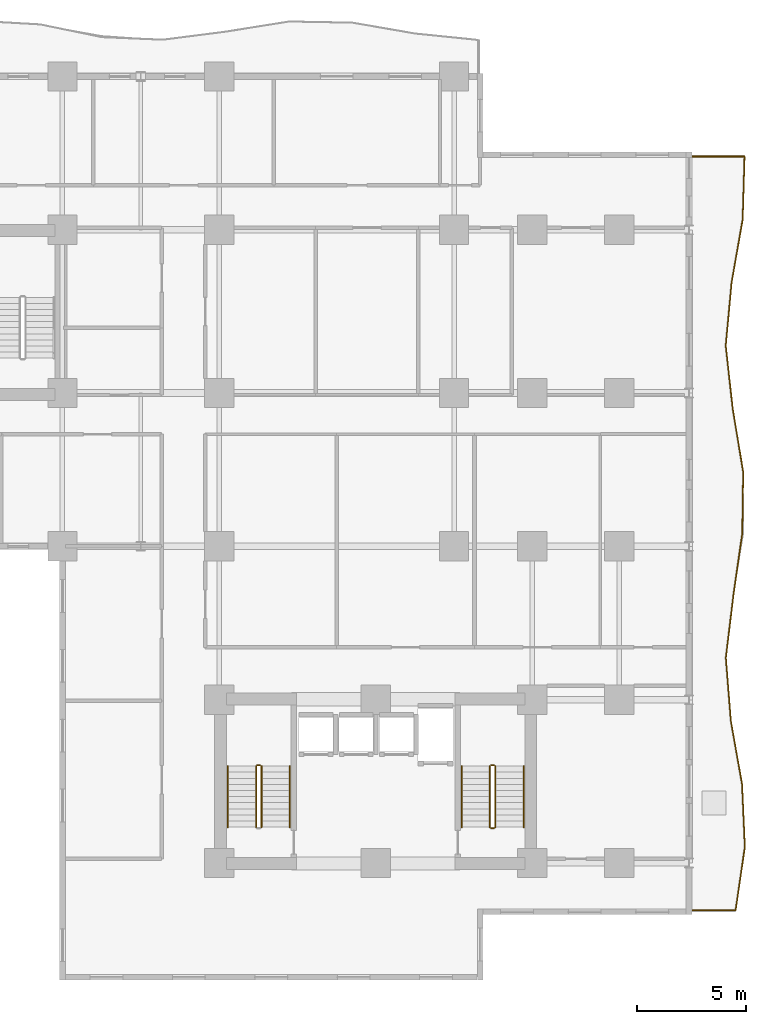
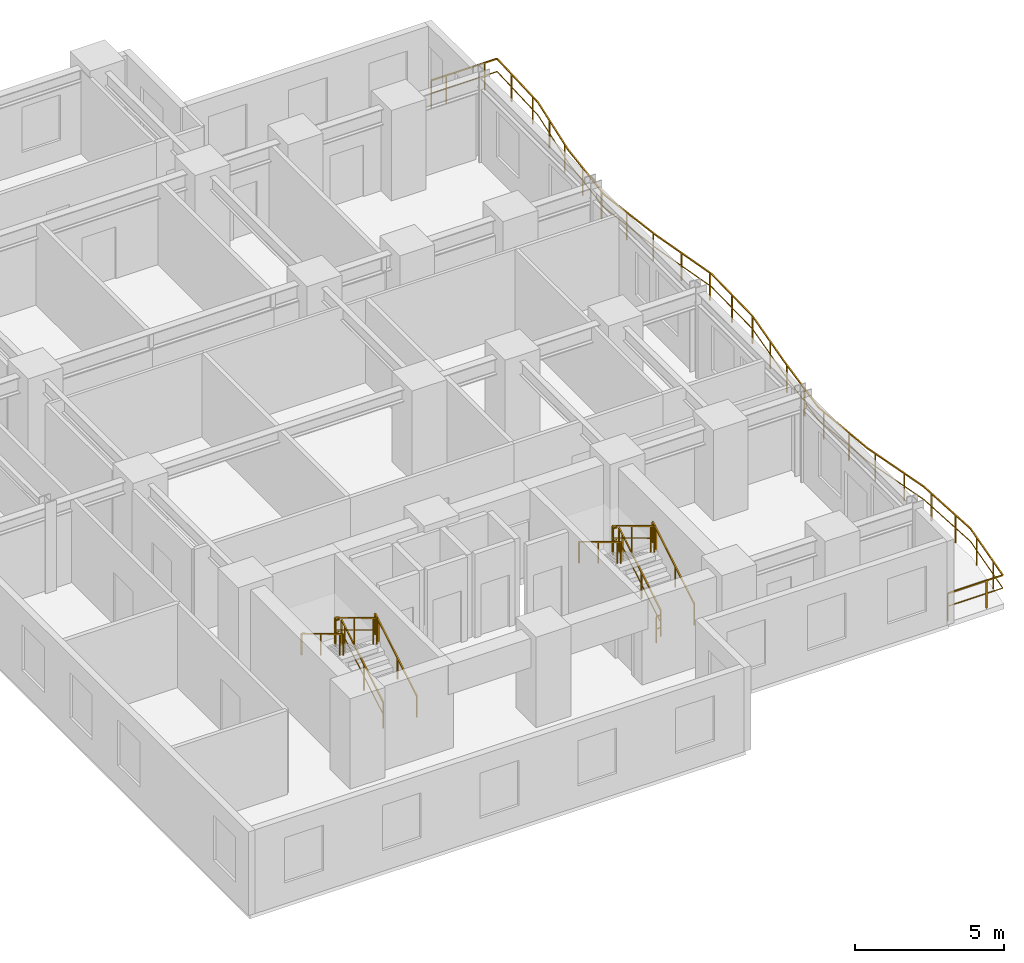
# One storey, part 16 of 17: 12 railings.
"""IFC4 building model written with IfcOpenShell, lengths in metres."""

from ifc_helpers import new_model, si_unit, direction, frame, origin, origin_2d, place, context, subcontext, project, spatial, rectangle, extrude, material, type_object, element, save


model = new_model("IFC4")

# Units and contexts
model_context = context("Model", 3, precision=1e-05, world=origin(), true_north=direction((0.0, 1.0)))
body_context = subcontext(model_context, "Body", "Model", "MODEL_VIEW")
ifc_project = project(units=[si_unit("LENGTHUNIT", "METRE"), si_unit("AREAUNIT", "SQUARE_METRE"), si_unit("VOLUMEUNIT", "CUBIC_METRE"), si_unit("PLANEANGLEUNIT", "RADIAN"), si_unit("MASSUNIT", "GRAM", prefix="KILO")], contexts=[model_context])

# Site, building, storey
site_placement = place(None, origin())
site = spatial("IfcSite", under=ifc_project, at=site_placement, CompositionType="ELEMENT")
building_placement = place(site_placement, origin())
building = spatial("IfcBuilding", under=site, at=building_placement, Name="Kaliganga Portal Commons", CompositionType="ELEMENT")
storey_placement = place(building_placement, frame((0.0, 0.0, 62.300048828125)))
storey = spatial("IfcBuildingStorey", under=building, at=storey_placement, Name="L15", CompositionType="ELEMENT", Elevation=62.300048828125)

# Railings
ifc_material_1 = material(Name="Laminated Safety Glass and Stainless Steel 316", Category="steel")
railing_type_1 = type_object("IfcRailingType", Name="RLG-BAL-1150", PredefinedType="BALUSTRADE", material=ifc_material_1)
railing_1_placement = place(storey_placement, frame((57.608642578125, 4.87939453125, 0.0)))
element("IfcRailing", 1, at=railing_1_placement, inside=storey, type_object=railing_type_1, Name="Balcony Guardrail L15 balc_east", PredefinedType="BALUSTRADE", context=body_context, shape_type="SweptSolid", body=[
    extrude(rectangle(XDim=0.048095703125, YDim=0.048095703125, at=origin_2d()), frame((0.0, 0.0, 1.1259765625), z_axis=(0.999999973812, 0.000228859131, 0.0), x_axis=(-0.000228859131, 0.999999973812, 0.0)), (0.0, 0.0, 1.0), 2.133544921875),
    extrude(rectangle(XDim=0.028076171875, YDim=0.028076171875, at=origin_2d()), frame((0.0, 0.0, 0.597900390625), z_axis=(0.999999973812, 0.000228859131, 0.0), x_axis=(-0.000228859131, 0.999999973812, 0.0)), (0.0, 0.0, 1.0), 2.133544921875),
    extrude(rectangle(XDim=0.048095703125, YDim=0.048095703125, at=origin_2d()), frame((2.133544921875, 0.00048828125, 1.1259765625), z_axis=(0.145187032226, 0.989404227641, 0.0), x_axis=(-0.989404227641, 0.145187032226, 0.0)), (0.0, 0.0, 1.0), 2.930908203125),
    extrude(rectangle(XDim=0.028076171875, YDim=0.028076171875, at=origin_2d()), frame((2.133544921875, 0.00048828125, 0.597900390625), z_axis=(0.145187032226, 0.989404227641, 0.0), x_axis=(-0.989404227641, 0.145187032226, 0.0)), (0.0, 0.0, 1.0), 2.930908203125),
    extrude(rectangle(XDim=0.048095703125, YDim=0.048095703125, at=origin_2d()), frame((2.55908203125, 2.900390625, 1.1259765625), z_axis=(-0.044656139695, 0.999002417008, 0.0), x_axis=(-0.999002417008, -0.044656139695, 0.0)), (0.0, 0.0, 1.0), 2.903076171875),
    extrude(rectangle(XDim=0.028076171875, YDim=0.028076171875, at=origin_2d()), frame((2.55908203125, 2.900390625, 0.597900390625), z_axis=(-0.044656139695, 0.999002417008, 0.0), x_axis=(-0.999002417008, -0.044656139695, 0.0)), (0.0, 0.0, 1.0), 2.903076171875),
    extrude(rectangle(XDim=0.048095703125, YDim=0.048095703125, at=origin_2d()), frame((2.429443359375, 5.800537109375, 1.1259765625), z_axis=(-0.174886925455, 0.98458852487, 0.0), x_axis=(-0.98458852487, -0.174886925455, 0.0)), (0.0, 0.0, 1.0), 2.945556640625),
    extrude(rectangle(XDim=0.028076171875, YDim=0.028076171875, at=origin_2d()), frame((2.429443359375, 5.800537109375, 0.597900390625), z_axis=(-0.174886925455, 0.98458852487, 0.0), x_axis=(-0.98458852487, -0.174886925455, 0.0)), (0.0, 0.0, 1.0), 2.945556640625),
    extrude(rectangle(XDim=0.048095703125, YDim=0.048095703125, at=origin_2d()), frame((1.914306640625, 8.70068359375, 1.1259765625), z_axis=(-0.078641026256, 0.996902998786, 0.0), x_axis=(-0.996902998786, -0.078641026256, 0.0)), (0.0, 0.0, 1.0), 2.908935546875),
    extrude(rectangle(XDim=0.028076171875, YDim=0.028076171875, at=origin_2d()), frame((1.914306640625, 8.70068359375, 0.597900390625), z_axis=(-0.078641026256, 0.996902998786, 0.0), x_axis=(-0.996902998786, -0.078641026256, 0.0)), (0.0, 0.0, 1.0), 2.908935546875),
    extrude(rectangle(XDim=0.048095703125, YDim=0.048095703125, at=origin_2d()), frame((1.685546875, 11.6005859375, 1.1259765625), z_axis=(0.119857090136, 0.992791155251, 0.0), x_axis=(-0.992791155251, 0.119857090136, 0.0)), (0.0, 0.0, 1.0), 2.9208984375),
    extrude(rectangle(XDim=0.028076171875, YDim=0.028076171875, at=origin_2d()), frame((1.685546875, 11.6005859375, 0.597900390625), z_axis=(0.119857090136, 0.992791155251, 0.0), x_axis=(-0.992791155251, 0.119857090136, 0.0)), (0.0, 0.0, 1.0), 2.9208984375),
    extrude(rectangle(XDim=0.048095703125, YDim=0.048095703125, at=origin_2d()), frame((2.03564453125, 14.50048828125, 1.1259765625), z_axis=(0.141997205102, 0.989867058621, 0.0), x_axis=(-0.989867058621, 0.141997205102, 0.0)), (0.0, 0.0, 1.0), 2.848876953125),
    extrude(rectangle(XDim=0.028076171875, YDim=0.028076171875, at=origin_2d()), frame((2.03564453125, 14.50048828125, 0.597900390625), z_axis=(0.141997205102, 0.989867058621, 0.0), x_axis=(-0.989867058621, 0.141997205102, 0.0)), (0.0, 0.0, 1.0), 2.848876953125),
    extrude(rectangle(XDim=0.048095703125, YDim=0.048095703125, at=origin_2d()), frame((2.440185546875, 17.320556640625, 1.1259765625), z_axis=(0.014879819845, 0.999889289352, 0.0), x_axis=(-0.999889289352, 0.014879819845, 0.0)), (0.0, 0.0, 1.0), 2.822021484375),
    extrude(rectangle(XDim=0.028076171875, YDim=0.028076171875, at=origin_2d()), frame((2.440185546875, 17.320556640625, 0.597900390625), z_axis=(0.014879819845, 0.999889289352, 0.0), x_axis=(-0.999889289352, 0.014879819845, 0.0)), (0.0, 0.0, 1.0), 2.822021484375),
    extrude(rectangle(XDim=0.048095703125, YDim=0.048095703125, at=origin_2d()), frame((2.482177734375, 20.142333984375, 1.1259765625), z_axis=(-0.163792541792, 0.986494806501, 0.0), x_axis=(-0.986494806501, -0.163792541792, 0.0)), (0.0, 0.0, 1.0), 2.93798828125),
    extrude(rectangle(XDim=0.028076171875, YDim=0.028076171875, at=origin_2d()), frame((2.482177734375, 20.142333984375, 0.597900390625), z_axis=(-0.163792541792, 0.986494806501, 0.0), x_axis=(-0.986494806501, -0.163792541792, 0.0)), (0.0, 0.0, 1.0), 2.93798828125),
    extrude(rectangle(XDim=0.048095703125, YDim=0.048095703125, at=origin_2d()), frame((2.0009765625, 23.04052734375, 1.1259765625), z_axis=(-0.109779462263, 0.993955969681, 0.0), x_axis=(-0.993955969681, -0.109779462263, 0.0)), (0.0, 0.0, 1.0), 2.917724609375),
    extrude(rectangle(XDim=0.028076171875, YDim=0.028076171875, at=origin_2d()), frame((2.0009765625, 23.04052734375, 0.597900390625), z_axis=(-0.109779462263, 0.993955969681, 0.0), x_axis=(-0.993955969681, -0.109779462263, 0.0)), (0.0, 0.0, 1.0), 2.917724609375),
    extrude(rectangle(XDim=0.048095703125, YDim=0.048095703125, at=origin_2d()), frame((1.6806640625, 25.940673828125, 1.1259765625), z_axis=(0.091964240973, 0.995762310184, 0.0), x_axis=(-0.995762310184, 0.091964240973, 0.0)), (0.0, 0.0, 1.0), 2.912353515625),
    extrude(rectangle(XDim=0.028076171875, YDim=0.028076171875, at=origin_2d()), frame((1.6806640625, 25.940673828125, 0.597900390625), z_axis=(0.091964240973, 0.995762310184, 0.0), x_axis=(-0.995762310184, 0.091964240973, 0.0)), (0.0, 0.0, 1.0), 2.912353515625),
    extrude(rectangle(XDim=0.048095703125, YDim=0.048095703125, at=origin_2d()), frame((1.948486328125, 28.840576171875, 1.1259765625), z_axis=(0.17295752884, 0.984929283359, 0.0), x_axis=(-0.984929283359, 0.17295752884, 0.0)), (0.0, 0.0, 1.0), 2.944580078125),
    extrude(rectangle(XDim=0.028076171875, YDim=0.028076171875, at=origin_2d()), frame((1.948486328125, 28.840576171875, 0.597900390625), z_axis=(0.17295752884, 0.984929283359, 0.0), x_axis=(-0.984929283359, 0.17295752884, 0.0)), (0.0, 0.0, 1.0), 2.944580078125),
    extrude(rectangle(XDim=0.048095703125, YDim=0.048095703125, at=origin_2d()), frame((2.457763671875, 31.74072265625, 1.1259765625), z_axis=(0.030041998949, 0.999548637285, 0.0), x_axis=(-0.999548637285, 0.030041998949, 0.0)), (0.0, 0.0, 1.0), 2.901123046875),
    extrude(rectangle(XDim=0.028076171875, YDim=0.028076171875, at=origin_2d()), frame((2.457763671875, 31.74072265625, 0.597900390625), z_axis=(0.030041998949, 0.999548637285, 0.0), x_axis=(-0.999548637285, 0.030041998949, 0.0)), (0.0, 0.0, 1.0), 2.901123046875),
    extrude(rectangle(XDim=0.048095703125, YDim=0.048095703125, at=origin_2d()), frame((2.544921875, 34.640625, 1.1259765625), z_axis=(-0.999999981594, 0.000191864924, 0.0), x_axis=(-0.000191864924, -0.999999981594, 0.0)), (0.0, 0.0, 1.0), 2.544921875),
    extrude(rectangle(XDim=0.028076171875, YDim=0.028076171875, at=origin_2d()), frame((2.544921875, 34.640625, 0.597900390625), z_axis=(-0.999999981594, 0.000191864924, 0.0), x_axis=(-0.000191864924, -0.999999981594, 0.0)), (0.0, 0.0, 1.0), 2.544921875),
    extrude(rectangle(XDim=0.0419921875, YDim=0.0419921875, at=origin_2d()), origin(), (0.0, 0.0, 1.0), 1.101806640625),
    extrude(rectangle(XDim=0.0419921875, YDim=0.0419921875, at=origin_2d()), frame((1.5, 0.000244140625, 0.0)), (0.0, 0.0, 1.0), 1.101806640625),
    extrude(rectangle(XDim=0.0419921875, YDim=0.0419921875, at=origin_2d()), frame((2.25927734375, 0.857666015625, 0.0)), (0.0, 0.0, 1.0), 1.101806640625),
    extrude(rectangle(XDim=0.0419921875, YDim=0.0419921875, at=origin_2d()), frame((2.47705078125, 2.341796875, 0.0)), (0.0, 0.0, 1.0), 1.101806640625),
    extrude(rectangle(XDim=0.0419921875, YDim=0.0419921875, at=origin_2d()), frame((2.517333984375, 3.8349609375, 0.0)), (0.0, 0.0, 1.0), 1.101806640625),
    extrude(rectangle(XDim=0.0419921875, YDim=0.0419921875, at=origin_2d()), frame((2.450439453125, 5.33349609375, 0.0)), (0.0, 0.0, 1.0), 1.101806640625),
    extrude(rectangle(XDim=0.0419921875, YDim=0.0419921875, at=origin_2d()), frame((2.248779296875, 6.817138671875, 0.0)), (0.0, 0.0, 1.0), 1.101806640625),
    extrude(rectangle(XDim=0.0419921875, YDim=0.0419921875, at=origin_2d()), frame((1.986572265625, 8.2939453125, 0.0)), (0.0, 0.0, 1.0), 1.101806640625),
    extrude(rectangle(XDim=0.0419921875, YDim=0.0419921875, at=origin_2d()), frame((1.828857421875, 9.7841796875, 0.0)), (0.0, 0.0, 1.0), 1.101806640625),
    extrude(rectangle(XDim=0.0419921875, YDim=0.0419921875, at=origin_2d()), frame((1.7109375, 11.279541015625, 0.0)), (0.0, 0.0, 1.0), 1.101806640625),
    extrude(rectangle(XDim=0.0419921875, YDim=0.0419921875, at=origin_2d()), frame((1.82666015625, 12.77001953125, 0.0)), (0.0, 0.0, 1.0), 1.101806640625),
    extrude(rectangle(XDim=0.0419921875, YDim=0.0419921875, at=origin_2d()), frame((2.006591796875, 14.25927734375, 0.0)), (0.0, 0.0, 1.0), 1.101806640625),
    extrude(rectangle(XDim=0.0419921875, YDim=0.0419921875, at=origin_2d()), frame((2.214111328125, 15.744873046875, 0.0)), (0.0, 0.0, 1.0), 1.101806640625),
    extrude(rectangle(XDim=0.0419921875, YDim=0.0419921875, at=origin_2d()), frame((2.440185546875, 17.320556640625, 0.0)), (0.0, 0.0, 1.0), 1.101806640625),
    extrude(rectangle(XDim=0.0419921875, YDim=0.0419921875, at=origin_2d()), frame((2.461181640625, 18.728515625, 0.0)), (0.0, 0.0, 1.0), 1.101806640625),
    extrude(rectangle(XDim=0.0419921875, YDim=0.0419921875, at=origin_2d()), frame((2.468017578125, 20.227294921875, 0.0)), (0.0, 0.0, 1.0), 1.101806640625),
    extrude(rectangle(XDim=0.0419921875, YDim=0.0419921875, at=origin_2d()), frame((2.222412109375, 21.70703125, 0.0)), (0.0, 0.0, 1.0), 1.101806640625),
    extrude(rectangle(XDim=0.0419921875, YDim=0.0419921875, at=origin_2d()), frame((1.984619140625, 23.187744140625, 0.0)), (0.0, 0.0, 1.0), 1.101806640625),
    extrude(rectangle(XDim=0.0419921875, YDim=0.0419921875, at=origin_2d()), frame((1.820068359375, 24.6787109375, 0.0)), (0.0, 0.0, 1.0), 1.101806640625),
    extrude(rectangle(XDim=0.0419921875, YDim=0.0419921875, at=origin_2d()), frame((1.701904296875, 26.170166015625, 0.0)), (0.0, 0.0, 1.0), 1.101806640625),
    extrude(rectangle(XDim=0.0419921875, YDim=0.0419921875, at=origin_2d()), frame((1.83984375, 27.663818359375, 0.0)), (0.0, 0.0, 1.0), 1.101806640625),
    extrude(rectangle(XDim=0.0419921875, YDim=0.0419921875, at=origin_2d()), frame((2.00341796875, 29.15380859375, 0.0)), (0.0, 0.0, 1.0), 1.101806640625),
    extrude(rectangle(XDim=0.0419921875, YDim=0.0419921875, at=origin_2d()), frame((2.262939453125, 30.63134765625, 0.0)), (0.0, 0.0, 1.0), 1.101806640625),
    extrude(rectangle(XDim=0.0419921875, YDim=0.0419921875, at=origin_2d()), frame((2.468994140625, 32.1142578125, 0.0)), (0.0, 0.0, 1.0), 1.101806640625),
    extrude(rectangle(XDim=0.0419921875, YDim=0.0419921875, at=origin_2d()), frame((2.51416015625, 33.613525390625, 0.0)), (0.0, 0.0, 1.0), 1.101806640625),
    extrude(rectangle(XDim=0.0419921875, YDim=0.0419921875, at=origin_2d()), frame((2.072509765625, 34.640625, 0.0)), (0.0, 0.0, 1.0), 1.101806640625),
    extrude(rectangle(XDim=0.0419921875, YDim=0.0419921875, at=origin_2d()), frame((0.572509765625, 34.64111328125, 0.0)), (0.0, 0.0, 1.0), 1.101806640625),
    extrude(rectangle(XDim=0.0419921875, YDim=0.0419921875, at=origin_2d()), frame((0.0, 34.64111328125, 0.0)), (0.0, 0.0, 1.0), 1.101806640625),
])
ifc_material_2 = material(Name="Galvanized Painted Steel Balustrade", Category="steel")
railing_type_2 = type_object("IfcRailingType", Name="RLG-STAIR-GRD", PredefinedType="GUARDRAIL", material=ifc_material_2)
railing_2_placement = place(storey_placement, frame((37.949951171875, 8.699951171875, 0.168212890625)))
element("IfcRailing", 2, at=railing_2_placement, inside=storey, type_object=railing_type_2, Name="L15 ST-B1 stair guard 1", PredefinedType="GUARDRAIL", context=body_context, shape_type="SweptSolid", body=[
    extrude(rectangle(XDim=0.048095703125, YDim=0.048095703125, at=origin_2d()), frame((0.0, 0.0, 1.072021484375), z_axis=(0.0, 0.857275202839, 0.514858452973), x_axis=(-1.0, 0.0, 0.0)), (0.0, 0.0, 1.0), 3.26611328125),
    extrude(rectangle(XDim=0.028076171875, YDim=0.028076171875, at=origin_2d()), frame((0.0, 0.0, 0.572021484375), z_axis=(0.0, 0.857275202839, 0.514858452973), x_axis=(-1.0, 0.0, 0.0)), (0.0, 0.0, 1.0), 3.26611328125),
    extrude(rectangle(XDim=0.0419921875, YDim=0.0419921875, at=origin_2d()), origin(), (0.0, 0.0, 1.0), 1.052001953125),
    extrude(rectangle(XDim=0.0419921875, YDim=0.0419921875, at=origin_2d()), frame((0.0, 1.285888671875, 0.772216796875)), (0.0, 0.0, 1.0), 1.052001953125),
    extrude(rectangle(XDim=0.0419921875, YDim=0.0419921875, at=origin_2d()), frame((0.0, 2.57177734375, 1.544677734375)), (0.0, 0.0, 1.0), 1.052001953125),
    extrude(rectangle(XDim=0.0419921875, YDim=0.0419921875, at=origin_2d()), frame((0.0, 2.800048828125, 1.681640625)), (0.0, 0.0, 1.0), 1.052001953125),
])
railing_3_placement = place(storey_placement, frame((37.89990234375, 11.550048828125, 1.849853515625)))
element("IfcRailing", 3, at=railing_3_placement, inside=storey, type_object=railing_type_2, Name="L15 ST-B1 stair guard 2", PredefinedType="GUARDRAIL", context=body_context, shape_type="SweptSolid", body=[
    extrude(rectangle(XDim=0.048095703125, YDim=0.048095703125, at=origin_2d()), frame((0.0, 0.0, 1.076171875), z_axis=(-1.0, 0.0, 0.0), x_axis=(0.0, -1.0, 0.0)), (0.0, 0.0, 1.0), 0.14990234375),
    extrude(rectangle(XDim=0.028076171875, YDim=0.028076171875, at=origin_2d()), frame((0.0, 0.0, 0.572021484375), z_axis=(-1.0, 0.0, 0.0), x_axis=(0.0, -1.0, 0.0)), (0.0, 0.0, 1.0), 0.14990234375),
    extrude(rectangle(XDim=0.0419921875, YDim=0.0419921875, at=origin_2d()), frame((-0.14990234375, 0.0, 0.0)), (0.0, 0.0, 1.0), 1.052001953125),
])
railing_4_placement = place(storey_placement, frame((37.699951171875, 11.5, 2.01806640625)))
element("IfcRailing", 4, at=railing_4_placement, inside=storey, type_object=railing_type_2, Name="L15 ST-B1 stair guard 3", PredefinedType="GUARDRAIL", context=body_context, shape_type="SweptSolid", body=[
    extrude(rectangle(XDim=0.048095703125, YDim=0.048095703125, at=origin_2d()), frame((0.0, 0.0, 1.072021484375), z_axis=(0.0, -0.857242210791, 0.514913383045), x_axis=(1.0, 0.0, 0.0)), (0.0, 0.0, 1.0), 3.266357421875),
    extrude(rectangle(XDim=0.028076171875, YDim=0.028076171875, at=origin_2d()), frame((0.0, 0.0, 0.572021484375), z_axis=(0.0, -0.857242210791, 0.514913383045), x_axis=(1.0, 0.0, 0.0)), (0.0, 0.0, 1.0), 3.266357421875),
    extrude(rectangle(XDim=0.0419921875, YDim=0.0419921875, at=origin_2d()), origin(), (0.0, 0.0, 1.0), 1.052001953125),
    extrude(rectangle(XDim=0.0419921875, YDim=0.0419921875, at=origin_2d()), frame((0.0, -1.285888671875, 0.7724609375)), (0.0, 0.0, 1.0), 1.052001953125),
    extrude(rectangle(XDim=0.0419921875, YDim=0.0419921875, at=origin_2d()), frame((0.0, -2.57177734375, 1.544677734375)), (0.0, 0.0, 1.0), 1.052001953125),
    extrude(rectangle(XDim=0.0419921875, YDim=0.0419921875, at=origin_2d()), frame((0.0, -2.800048828125, 1.681884765625)), (0.0, 0.0, 1.0), 1.052001953125),
])
railing_5_placement = place(storey_placement, frame((48.699951171875, 8.699951171875, 0.168212890625)))
element("IfcRailing", 5, at=railing_5_placement, inside=storey, type_object=railing_type_2, Name="L15 ST-B2 stair guard 1", PredefinedType="GUARDRAIL", context=body_context, shape_type="SweptSolid", body=[
    extrude(rectangle(XDim=0.048095703125, YDim=0.048095703125, at=origin_2d()), frame((0.0, 0.0, 1.072021484375), z_axis=(0.0, 0.857275202839, 0.514858452973), x_axis=(-1.0, 0.0, 0.0)), (0.0, 0.0, 1.0), 3.26611328125),
    extrude(rectangle(XDim=0.028076171875, YDim=0.028076171875, at=origin_2d()), frame((0.0, 0.0, 0.572021484375), z_axis=(0.0, 0.857275202839, 0.514858452973), x_axis=(-1.0, 0.0, 0.0)), (0.0, 0.0, 1.0), 3.26611328125),
    extrude(rectangle(XDim=0.0419921875, YDim=0.0419921875, at=origin_2d()), origin(), (0.0, 0.0, 1.0), 1.052001953125),
    extrude(rectangle(XDim=0.0419921875, YDim=0.0419921875, at=origin_2d()), frame((0.0, 1.285888671875, 0.772216796875)), (0.0, 0.0, 1.0), 1.052001953125),
    extrude(rectangle(XDim=0.0419921875, YDim=0.0419921875, at=origin_2d()), frame((0.0, 2.57177734375, 1.544677734375)), (0.0, 0.0, 1.0), 1.052001953125),
    extrude(rectangle(XDim=0.0419921875, YDim=0.0419921875, at=origin_2d()), frame((0.0, 2.800048828125, 1.681640625)), (0.0, 0.0, 1.0), 1.052001953125),
])
railing_6_placement = place(storey_placement, frame((48.64990234375, 11.550048828125, 1.849853515625)))
element("IfcRailing", 6, at=railing_6_placement, inside=storey, type_object=railing_type_2, Name="L15 ST-B2 stair guard 2", PredefinedType="GUARDRAIL", context=body_context, shape_type="SweptSolid", body=[
    extrude(rectangle(XDim=0.048095703125, YDim=0.048095703125, at=origin_2d()), frame((0.0, 0.0, 1.076171875), z_axis=(-1.0, 0.0, 0.0), x_axis=(0.0, -1.0, 0.0)), (0.0, 0.0, 1.0), 0.14990234375),
    extrude(rectangle(XDim=0.028076171875, YDim=0.028076171875, at=origin_2d()), frame((0.0, 0.0, 0.572021484375), z_axis=(-1.0, 0.0, 0.0), x_axis=(0.0, -1.0, 0.0)), (0.0, 0.0, 1.0), 0.14990234375),
    extrude(rectangle(XDim=0.0419921875, YDim=0.0419921875, at=origin_2d()), frame((-0.14990234375, 0.0, 0.0)), (0.0, 0.0, 1.0), 1.052001953125),
])
railing_7_placement = place(storey_placement, frame((48.449951171875, 11.5, 2.01806640625)))
element("IfcRailing", 7, at=railing_7_placement, inside=storey, type_object=railing_type_2, Name="L15 ST-B2 stair guard 3", PredefinedType="GUARDRAIL", context=body_context, shape_type="SweptSolid", body=[
    extrude(rectangle(XDim=0.048095703125, YDim=0.048095703125, at=origin_2d()), frame((0.0, 0.0, 1.072021484375), z_axis=(0.0, -0.857242210791, 0.514913383045), x_axis=(1.0, 0.0, 0.0)), (0.0, 0.0, 1.0), 3.266357421875),
    extrude(rectangle(XDim=0.028076171875, YDim=0.028076171875, at=origin_2d()), frame((0.0, 0.0, 0.572021484375), z_axis=(0.0, -0.857242210791, 0.514913383045), x_axis=(1.0, 0.0, 0.0)), (0.0, 0.0, 1.0), 3.266357421875),
    extrude(rectangle(XDim=0.0419921875, YDim=0.0419921875, at=origin_2d()), origin(), (0.0, 0.0, 1.0), 1.052001953125),
    extrude(rectangle(XDim=0.0419921875, YDim=0.0419921875, at=origin_2d()), frame((0.0, -1.285888671875, 0.7724609375)), (0.0, 0.0, 1.0), 1.052001953125),
    extrude(rectangle(XDim=0.0419921875, YDim=0.0419921875, at=origin_2d()), frame((0.0, -2.57177734375, 1.544677734375)), (0.0, 0.0, 1.0), 1.052001953125),
    extrude(rectangle(XDim=0.0419921875, YDim=0.0419921875, at=origin_2d()), frame((0.0, -2.800048828125, 1.681884765625)), (0.0, 0.0, 1.0), 1.052001953125),
])
railing_8_placement = place(storey_placement, frame((48.64990234375, 8.64990234375, 0.0)))
element("IfcRailing", 8, at=railing_8_placement, inside=storey, type_object=railing_type_2, Name="L15 ST-B2 stair guard 4", PredefinedType="GUARDRAIL", context=body_context, shape_type="SweptSolid", body=[
    extrude(rectangle(XDim=0.048095703125, YDim=0.048095703125, at=origin_2d()), frame((0.0, 0.0, 1.076171875), z_axis=(-1.0, 0.0, 0.0), x_axis=(0.0, -1.0, 0.0)), (0.0, 0.0, 1.0), 0.14990234375),
    extrude(rectangle(XDim=0.028076171875, YDim=0.028076171875, at=origin_2d()), frame((0.0, 0.0, 0.572021484375), z_axis=(-1.0, 0.0, 0.0), x_axis=(0.0, -1.0, 0.0)), (0.0, 0.0, 1.0), 0.14990234375),
    extrude(rectangle(XDim=0.0419921875, YDim=0.0419921875, at=origin_2d()), frame((-0.14990234375, 0.0, 0.0)), (0.0, 0.0, 1.0), 1.052001953125),
])
ifc_material_3 = material(Name="Brushed Stainless Steel 316", Category="steel")
railing_type_3 = type_object("IfcRailingType", Name="RLG-STAIR-HR", PredefinedType="HANDRAIL", material=ifc_material_3)
railing_9_placement = place(storey_placement, frame((39.25, 8.699951171875, 0.168212890625)))
element("IfcRailing", 9, at=railing_9_placement, inside=storey, type_object=railing_type_3, Name="L15 ST-B1 stair handrail 1", PredefinedType="HANDRAIL", context=body_context, shape_type="SweptSolid", body=[
    extrude(rectangle(XDim=0.048095703125, YDim=0.048095703125, at=origin_2d()), frame((0.0, 0.0, 0.871826171875), z_axis=(0.0, 0.857275202839, 0.514858452973), x_axis=(-1.0, 0.0, 0.0)), (0.0, 0.0, 1.0), 3.26611328125),
    extrude(rectangle(XDim=0.0419921875, YDim=0.0419921875, at=origin_2d()), origin(), (0.0, 0.0, 1.0), 0.851806640625),
    extrude(rectangle(XDim=0.0419921875, YDim=0.0419921875, at=origin_2d()), frame((0.0, 1.285888671875, 0.772216796875)), (0.0, 0.0, 1.0), 0.851806640625),
    extrude(rectangle(XDim=0.0419921875, YDim=0.0419921875, at=origin_2d()), frame((0.0, 2.57177734375, 1.544677734375)), (0.0, 0.0, 1.0), 0.851806640625),
    extrude(rectangle(XDim=0.0419921875, YDim=0.0419921875, at=origin_2d()), frame((0.0, 2.800048828125, 1.681640625)), (0.0, 0.0, 1.0), 0.851806640625),
])
railing_10_placement = place(storey_placement, frame((36.39990234375, 11.5, 2.01806640625)))
element("IfcRailing", 10, at=railing_10_placement, inside=storey, type_object=railing_type_3, Name="L15 ST-B1 stair handrail 2", PredefinedType="HANDRAIL", context=body_context, shape_type="SweptSolid", body=[
    extrude(rectangle(XDim=0.048095703125, YDim=0.048095703125, at=origin_2d()), frame((0.0, 0.0, 0.871826171875), z_axis=(0.0, -0.857242210791, 0.514913383045), x_axis=(1.0, 0.0, 0.0)), (0.0, 0.0, 1.0), 3.266357421875),
    extrude(rectangle(XDim=0.0419921875, YDim=0.0419921875, at=origin_2d()), origin(), (0.0, 0.0, 1.0), 0.851806640625),
    extrude(rectangle(XDim=0.0419921875, YDim=0.0419921875, at=origin_2d()), frame((0.0, -1.285888671875, 0.7724609375)), (0.0, 0.0, 1.0), 0.851806640625),
    extrude(rectangle(XDim=0.0419921875, YDim=0.0419921875, at=origin_2d()), frame((0.0, -2.57177734375, 1.544677734375)), (0.0, 0.0, 1.0), 0.851806640625),
    extrude(rectangle(XDim=0.0419921875, YDim=0.0419921875, at=origin_2d()), frame((0.0, -2.800048828125, 1.681884765625)), (0.0, 0.0, 1.0), 0.851806640625),
])
railing_11_placement = place(storey_placement, frame((50.0, 8.699951171875, 0.168212890625)))
element("IfcRailing", 11, at=railing_11_placement, inside=storey, type_object=railing_type_3, Name="L15 ST-B2 stair handrail 1", PredefinedType="HANDRAIL", context=body_context, shape_type="SweptSolid", body=[
    extrude(rectangle(XDim=0.048095703125, YDim=0.048095703125, at=origin_2d()), frame((0.0, 0.0, 0.871826171875), z_axis=(0.0, 0.857275202839, 0.514858452973), x_axis=(-1.0, 0.0, 0.0)), (0.0, 0.0, 1.0), 3.26611328125),
    extrude(rectangle(XDim=0.0419921875, YDim=0.0419921875, at=origin_2d()), origin(), (0.0, 0.0, 1.0), 0.851806640625),
    extrude(rectangle(XDim=0.0419921875, YDim=0.0419921875, at=origin_2d()), frame((0.0, 1.285888671875, 0.772216796875)), (0.0, 0.0, 1.0), 0.851806640625),
    extrude(rectangle(XDim=0.0419921875, YDim=0.0419921875, at=origin_2d()), frame((0.0, 2.57177734375, 1.544677734375)), (0.0, 0.0, 1.0), 0.851806640625),
    extrude(rectangle(XDim=0.0419921875, YDim=0.0419921875, at=origin_2d()), frame((0.0, 2.800048828125, 1.681640625)), (0.0, 0.0, 1.0), 0.851806640625),
])
railing_12_placement = place(storey_placement, frame((47.14990234375, 11.5, 2.01806640625)))
element("IfcRailing", 12, at=railing_12_placement, inside=storey, type_object=railing_type_3, Name="L15 ST-B2 stair handrail 2", PredefinedType="HANDRAIL", context=body_context, shape_type="SweptSolid", body=[
    extrude(rectangle(XDim=0.048095703125, YDim=0.048095703125, at=origin_2d()), frame((0.0, 0.0, 0.871826171875), z_axis=(0.0, -0.857242210791, 0.514913383045), x_axis=(1.0, 0.0, 0.0)), (0.0, 0.0, 1.0), 3.266357421875),
    extrude(rectangle(XDim=0.0419921875, YDim=0.0419921875, at=origin_2d()), origin(), (0.0, 0.0, 1.0), 0.851806640625),
    extrude(rectangle(XDim=0.0419921875, YDim=0.0419921875, at=origin_2d()), frame((0.0, -1.285888671875, 0.7724609375)), (0.0, 0.0, 1.0), 0.851806640625),
    extrude(rectangle(XDim=0.0419921875, YDim=0.0419921875, at=origin_2d()), frame((0.0, -2.57177734375, 1.544677734375)), (0.0, 0.0, 1.0), 0.851806640625),
    extrude(rectangle(XDim=0.0419921875, YDim=0.0419921875, at=origin_2d()), frame((0.0, -2.800048828125, 1.681884765625)), (0.0, 0.0, 1.0), 0.851806640625),
])

save(model, "model.ifc")
